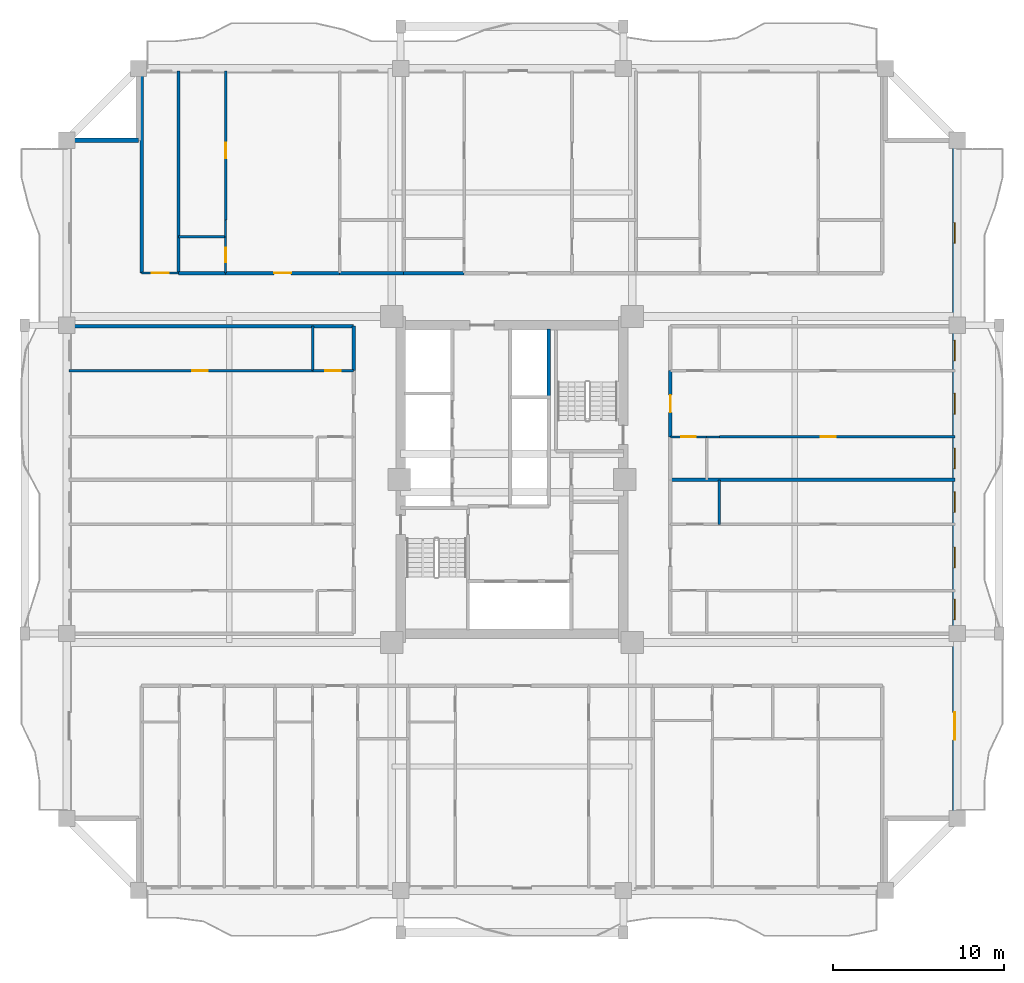
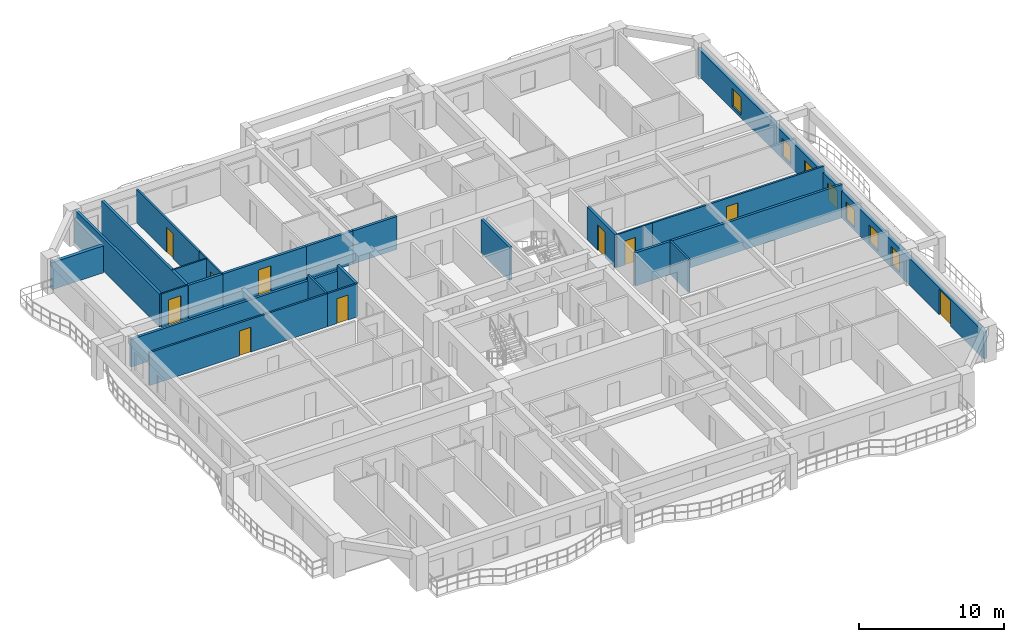
# One storey, part 6 of 13: 25 walls, 10 doors, 7 windows, 17 openings.
"""IFC4 building model written with IfcOpenShell, lengths in metres."""

from ifc_helpers import new_model, si_unit, direction, frame, frame_2d, origin, place, context, subcontext, project, spatial, rectangle, extrude, source, transform, mapped, material, layer, layer_set, type_object, element, fill, save


model = new_model("IFC4")

# Units and contexts
model_context = context("Model", 3, precision=1e-05, world=origin(), true_north=direction((0.0, 1.0)))
body_context = subcontext(model_context, "Body", "Model", "MODEL_VIEW")
ifc_project = project(units=[si_unit("LENGTHUNIT", "METRE"), si_unit("AREAUNIT", "SQUARE_METRE"), si_unit("VOLUMEUNIT", "CUBIC_METRE"), si_unit("PLANEANGLEUNIT", "RADIAN"), si_unit("MASSUNIT", "GRAM", prefix="KILO")], contexts=[model_context])

# Site, building, storey
site_placement = place(None, origin())
site = spatial("IfcSite", under=ifc_project, at=site_placement, CompositionType="ELEMENT")
building_placement = place(site_placement, origin())
building = spatial("IfcBuilding", under=site, at=building_placement, Name="Saelheon Loggia Tower", CompositionType="ELEMENT")
storey_placement = place(building_placement, frame((0.0, 0.0, 83.85009765625)))
storey = spatial("IfcBuildingStorey", under=building, at=storey_placement, Name="L26", CompositionType="ELEMENT", Elevation=83.85009765625)

# Wall, openings, windows, door
ifc_material_1 = material(Name="Architectural Precast Concrete C40/50", Category="concrete")
ifc_layer_1 = layer(ifc_material_1, 0.280029296875)
ifc_layer_set_1 = layer_set([ifc_layer_1], Name="Architectural Precast Concrete C40/50")
wall_type_1 = type_object("IfcWallType", Name="Wall_Ext_Loggia_280", PredefinedType="SOLIDWALL", material=ifc_layer_set_1)
wall_1_placement = place(storey_placement, frame((63.860107421875, 7.199951171875, 0.0), z_axis=(0.0, 0.0, 1.0), x_axis=(0.0, 1.0, 0.0)))
wall_1 = element("IfcWall", 1, at=wall_1_placement, inside=storey, type_object=wall_type_1, Name="L26 East Loggia Inner Wall", PredefinedType="SOLIDWALL", context=body_context, shape_type="SweptSolid", body=[
    extrude(rectangle(XDim=39.60009765625, YDim=0.280029296875, at=frame_2d((19.800048828125, 0.0))), origin(), (0.0, 0.0, 1.0), 2.27978515625),
])
opening_1_placement = place(wall_1_placement, frame((6.2001953125, 0.0, 0.0), z_axis=(0.0, 0.0, 1.0), x_axis=(-1.0, 0.0, 0.0)))
opening_1 = element("IfcOpeningElement", 2, at=opening_1_placement, cuts=wall_1, Name="Opening DLG-1", PredefinedType="OPENING", context=body_context, shape_type="SweptSolid", body=[
    extrude(rectangle(XDim=1.60009765625, YDim=2.14990234375, at=frame_2d((0.800048828125, 1.074951171875))), frame((0.0, 0.152099609375, 0.0), z_axis=(0.0, -1.0, 0.0), x_axis=(1.0, 0.0, 0.0)), (0.0, 0.0, 1.0), 0.303955078125),
])
opening_2_placement = place(wall_1_placement, frame((11.614013671875, 0.0, 0.25)))
opening_2 = element("IfcOpeningElement", 3, at=opening_2_placement, cuts=wall_1, Name="Opening WN-03", PredefinedType="OPENING", context=body_context, shape_type="SweptSolid", body=[
    extrude(rectangle(XDim=1.199951171875, YDim=1.5, at=frame_2d((0.60009765625, 0.75))), frame((0.0, 0.152099609375, 0.0), z_axis=(0.0, -1.0, 0.0), x_axis=(1.0, 0.0, 0.0)), (0.0, 0.0, 1.0), 0.303955078125),
])
opening_3_placement = place(wall_1_placement, frame((14.64404296875, 0.0, 0.25)))
opening_3 = element("IfcOpeningElement", 4, at=opening_3_placement, cuts=wall_1, Name="Opening WN-03", PredefinedType="OPENING", context=body_context, shape_type="SweptSolid", body=[
    extrude(rectangle(XDim=1.199951171875, YDim=1.5, at=frame_2d((0.60009765625, 0.75))), frame((0.0, 0.152099609375, 0.0), z_axis=(0.0, -1.0, 0.0), x_axis=(1.0, 0.0, 0.0)), (0.0, 0.0, 1.0), 0.303955078125),
])
opening_4_placement = place(wall_1_placement, frame((17.875, 0.0, 0.25)))
opening_4 = element("IfcOpeningElement", 5, at=opening_4_placement, cuts=wall_1, Name="Opening WN-03", PredefinedType="OPENING", context=body_context, shape_type="SweptSolid", body=[
    extrude(rectangle(XDim=1.199951171875, YDim=1.5, at=frame_2d((0.60009765625, 0.75))), frame((0.0, 0.152099609375, 0.0), z_axis=(0.0, -1.0, 0.0), x_axis=(1.0, 0.0, 0.0)), (0.0, 0.0, 1.0), 0.303955078125),
])
opening_5_placement = place(wall_1_placement, frame((20.431396484375, 0.0, 0.25)))
opening_5 = element("IfcOpeningElement", 6, at=opening_5_placement, cuts=wall_1, Name="Opening WN-03", PredefinedType="OPENING", context=body_context, shape_type="SweptSolid", body=[
    extrude(rectangle(XDim=1.199951171875, YDim=1.5, at=frame_2d((0.60009765625, 0.75))), frame((0.0, 0.152099609375, 0.0), z_axis=(0.0, -1.0, 0.0), x_axis=(1.0, 0.0, 0.0)), (0.0, 0.0, 1.0), 0.303955078125),
])
opening_6_placement = place(wall_1_placement, frame((23.618896484375, 0.0, 0.25)))
opening_6 = element("IfcOpeningElement", 7, at=opening_6_placement, cuts=wall_1, Name="Opening WN-03", PredefinedType="OPENING", context=body_context, shape_type="SweptSolid", body=[
    extrude(rectangle(XDim=1.199951171875, YDim=1.5, at=frame_2d((0.60009765625, 0.75))), frame((0.0, 0.152099609375, 0.0), z_axis=(0.0, -1.0, 0.0), x_axis=(1.0, 0.0, 0.0)), (0.0, 0.0, 1.0), 0.303955078125),
])
opening_7_placement = place(wall_1_placement, frame((26.717529296875, 0.0, 0.25)))
opening_7 = element("IfcOpeningElement", 8, at=opening_7_placement, cuts=wall_1, Name="Opening WN-03", PredefinedType="OPENING", context=body_context, shape_type="SweptSolid", body=[
    extrude(rectangle(XDim=1.199951171875, YDim=1.5, at=frame_2d((0.60009765625, 0.75))), frame((0.0, 0.152099609375, 0.0), z_axis=(0.0, -1.0, 0.0), x_axis=(1.0, 0.0, 0.0)), (0.0, 0.0, 1.0), 0.303955078125),
])
opening_8_placement = place(wall_1_placement, frame((33.60009765625, 0.0, 0.25)))
opening_8 = element("IfcOpeningElement", 9, at=opening_8_placement, cuts=wall_1, Name="Opening WN-03", PredefinedType="OPENING", context=body_context, shape_type="SweptSolid", body=[
    extrude(rectangle(XDim=1.199951171875, YDim=1.5, at=frame_2d((0.60009765625, 0.75))), frame((0.0, 0.152099609375, 0.0), z_axis=(0.0, -1.0, 0.0), x_axis=(1.0, 0.0, 0.0)), (0.0, 0.0, 1.0), 0.303955078125),
])
ifc_material_2 = material(Name="Thermal-Break Aluminium and Triple Low-E Glass", Category="aluminium")
window_type = type_object("IfcWindowType", Name="Win_Bedroom_1200x1500", PartitioningType="SINGLE_PANEL", PredefinedType="WINDOW", material=ifc_material_2)
shared_shape_1 = source(origin(), body_context, "Body", "SweptSolid", [
    extrude(rectangle(XDim=1.199951171875, YDim=1.5, at=frame_2d((0.60009765625, 0.75))), frame((0.0, 0.030029296875, 0.0), z_axis=(0.0, -1.0, 0.0), x_axis=(1.0, 0.0, 0.0)), (0.0, 0.0, 1.0), 0.06005859375),
])
window_1_placement = place(opening_2_placement, origin())
window_1 = element("IfcWindow", 10, at=window_1_placement, inside=storey, type_object=window_type, Name="L26 E Dwelling Window 2", OverallHeight=1.5, OverallWidth=1.199951171875, PartitioningType="SINGLE_PANEL", PredefinedType="WINDOW", context=body_context, shape_type="MappedRepresentation", body=[
    mapped(shared_shape_1, transform((0.0, 0.0, 0.0), scale=1.0)),
])
fill(opening_2, window_1)
window_2_placement = place(opening_3_placement, origin())
window_2 = element("IfcWindow", 11, at=window_2_placement, inside=storey, type_object=window_type, Name="L26 E Dwelling Window 3", OverallHeight=1.5, OverallWidth=1.199951171875, PartitioningType="SINGLE_PANEL", PredefinedType="WINDOW", context=body_context, shape_type="MappedRepresentation", body=[
    mapped(shared_shape_1, transform((0.0, 0.0, 0.0), scale=1.0)),
])
fill(opening_3, window_2)
window_3_placement = place(opening_4_placement, origin())
window_3 = element("IfcWindow", 12, at=window_3_placement, inside=storey, type_object=window_type, Name="L26 E Dwelling Window 4", OverallHeight=1.5, OverallWidth=1.199951171875, PartitioningType="SINGLE_PANEL", PredefinedType="WINDOW", context=body_context, shape_type="MappedRepresentation", body=[
    mapped(shared_shape_1, transform((0.0, 0.0, 0.0), scale=1.0)),
])
fill(opening_4, window_3)
window_4_placement = place(opening_5_placement, origin())
window_4 = element("IfcWindow", 13, at=window_4_placement, inside=storey, type_object=window_type, Name="L26 E Dwelling Window 5", OverallHeight=1.5, OverallWidth=1.199951171875, PartitioningType="SINGLE_PANEL", PredefinedType="WINDOW", context=body_context, shape_type="MappedRepresentation", body=[
    mapped(shared_shape_1, transform((0.0, 0.0, 0.0), scale=1.0)),
])
fill(opening_5, window_4)
window_5_placement = place(opening_6_placement, origin())
window_5 = element("IfcWindow", 14, at=window_5_placement, inside=storey, type_object=window_type, Name="L26 E Dwelling Window 6", OverallHeight=1.5, OverallWidth=1.199951171875, PartitioningType="SINGLE_PANEL", PredefinedType="WINDOW", context=body_context, shape_type="MappedRepresentation", body=[
    mapped(shared_shape_1, transform((0.0, 0.0, 0.0), scale=1.0)),
])
fill(opening_6, window_5)
window_6_placement = place(opening_7_placement, origin())
window_6 = element("IfcWindow", 15, at=window_6_placement, inside=storey, type_object=window_type, Name="L26 E Dwelling Window 7", OverallHeight=1.5, OverallWidth=1.199951171875, PartitioningType="SINGLE_PANEL", PredefinedType="WINDOW", context=body_context, shape_type="MappedRepresentation", body=[
    mapped(shared_shape_1, transform((0.0, 0.0, 0.0), scale=1.0)),
])
fill(opening_7, window_6)
window_7_placement = place(opening_8_placement, origin())
window_7 = element("IfcWindow", 16, at=window_7_placement, inside=storey, type_object=window_type, Name="L26 E Dwelling Window 8", OverallHeight=1.5, OverallWidth=1.199951171875, PartitioningType="SINGLE_PANEL", PredefinedType="WINDOW", context=body_context, shape_type="MappedRepresentation", body=[
    mapped(shared_shape_1, transform((0.0, 0.0, 0.0), scale=1.0)),
])
fill(opening_8, window_7)
ifc_material_3 = material(Name="Thermal-Break Aluminium Sliding Glazed Door", Category="aluminium")
door_type_1 = type_object("IfcDoorType", Name="Door_LoggiaSlide_1600", OperationType="SLIDING_TO_LEFT", PredefinedType="DOOR", material=ifc_material_3)
shared_shape_2 = source(origin(), body_context, "Body", "SweptSolid", [
    extrude(rectangle(XDim=1.60009765625, YDim=2.14990234375, at=frame_2d((0.800048828125, 1.074951171875))), frame((0.0, 0.02490234375, 0.0), z_axis=(0.0, -1.0, 0.0), x_axis=(1.0, 0.0, 0.0)), (0.0, 0.0, 1.0), 0.050048828125),
])
door_1_placement = place(opening_1_placement, origin())
door_1 = element("IfcDoor", 17, at=door_1_placement, inside=storey, type_object=door_type_1, Name="L26 E Loggia Access Door", OperationType="SLIDING_TO_LEFT", OverallHeight=2.14990234375, OverallWidth=1.60009765625, PredefinedType="DOOR", context=body_context, shape_type="MappedRepresentation", body=[
    mapped(shared_shape_2, transform((0.0, 0.0, 0.0), scale=1.0)),
])
fill(opening_1, door_1)

# Wall
wall_2_placement = place(storey_placement, frame((12.080078125, 46.800048828125, 0.0), z_axis=(0.0, 0.0, 1.0), x_axis=(1.0, 0.0, 0.0)))
element("IfcWall", 18, at=wall_2_placement, inside=storey, type_object=wall_type_1, Name="L26 Corner Notch Precast Wall NW2", PredefinedType="SOLIDWALL", context=body_context, shape_type="SweptSolid", body=[
    extrude(rectangle(XDim=4.119873046875, YDim=0.280029296875, at=frame_2d((2.06005859375, 0.0))), origin(), (0.0, 0.0, 1.0), 2.27978515625),
])

# Wall, opening, door
ifc_material_4 = material(Name="Lightweight Autoclaved Aerated Concrete Block and Acoustic Gypsum", Category="concrete")
ifc_layer_2 = layer(ifc_material_4, 0.14990234375)
ifc_layer_set_2 = layer_set([ifc_layer_2], Name="Lightweight Autoclaved Aerated Concrete Block and Acoustic Gypsum")
wall_type_2 = type_object("IfcWallType", Name="Wall_Part_150", PredefinedType="PARTITIONING", material=ifc_layer_set_2)
wall_3_placement = place(storey_placement, frame((21.280029296875, 42.14990234375, 0.0), z_axis=(0.0, 0.0, 1.0), x_axis=(0.0, 1.0, 0.0)))
wall_3 = element("IfcWall", 19, at=wall_3_placement, inside=storey, type_object=wall_type_2, Name="L26 N Partition U12", PredefinedType="PARTITIONING", context=body_context, shape_type="SweptSolid", body=[
    extrude(rectangle(XDim=8.7001953125, YDim=0.14990234375, at=frame_2d((4.35009765625, 0.0))), origin(), (0.0, 0.0, 1.0), 2.789794921875),
])
opening_9_placement = place(wall_3_placement, frame((3.594970703125, 0.0, 0.0)))
opening_9 = element("IfcOpeningElement", 20, at=opening_9_placement, cuts=wall_3, Name="Opening D-IN2", PredefinedType="OPENING", context=body_context, shape_type="SweptSolid", body=[
    extrude(rectangle(XDim=0.89990234375, YDim=2.10009765625, at=frame_2d((0.449951171875, 1.050048828125))), frame((0.0, 0.0869140625, 0.0), z_axis=(0.0, -1.0, 0.0), x_axis=(1.0, 0.0, 0.0)), (0.0, 0.0, 1.0), 0.173828125),
])
ifc_material_5 = material(Name="Engineered Oak Flush Door", Category="timber")
door_type_2 = type_object("IfcDoorType", Name="Door_Int_900", OperationType="NOTDEFINED", PredefinedType="DOOR", material=ifc_material_5)
shared_shape_3 = source(origin(), body_context, "Body", "SweptSolid", [
    extrude(rectangle(XDim=0.89990234375, YDim=2.10009765625, at=frame_2d((0.449951171875, 1.050048828125))), frame((0.0, 0.02490234375, 0.0), z_axis=(0.0, -1.0, 0.0), x_axis=(1.0, 0.0, 0.0)), (0.0, 0.0, 1.0), 0.050048828125),
])
door_2_placement = place(opening_9_placement, origin())
door_2 = element("IfcDoor", 21, at=door_2_placement, inside=storey, type_object=door_type_2, Name="Unit U05 Kitchen Door", OperationType="SINGLE_SWING_LEFT", OverallHeight=2.10009765625, OverallWidth=0.89990234375, PredefinedType="DOOR", context=body_context, shape_type="MappedRepresentation", body=[
    mapped(shared_shape_3, transform((0.0, 0.0, 0.0), scale=1.0)),
])
fill(opening_9, door_2)

# Wall
wall_4_placement = place(storey_placement, frame((26.3701171875, 33.35009765625, 0.0), z_axis=(0.0, 0.0, 1.0), x_axis=(0.0, 1.0, 0.0)))
element("IfcWall", 22, at=wall_4_placement, inside=storey, type_object=wall_type_2, Name="L26 W Partition V17", PredefinedType="PARTITIONING", context=body_context, shape_type="SweptSolid", body=[
    extrude(rectangle(XDim=2.599853515625, YDim=0.14990234375, at=frame_2d((1.2998046875, 0.0))), origin(), (0.0, 0.0, 1.0), 2.789794921875),
])

# Wall, opening, door
wall_5_placement = place(storey_placement, frame((28.75, 33.35009765625, 0.0), z_axis=(0.0, 0.0, 1.0), x_axis=(-1.0, 0.0, 0.0)))
wall_5 = element("IfcWall", 23, at=wall_5_placement, inside=storey, type_object=wall_type_2, Name="L26 W Partition U20", PredefinedType="PARTITIONING", context=body_context, shape_type="SweptSolid", body=[
    extrude(rectangle(XDim=2.3798828125, YDim=0.14990234375, at=frame_2d((1.18994140625, 0.0))), origin(), (0.0, 0.0, 1.0), 2.789794921875),
])
opening_10_placement = place(wall_5_placement, frame((0.739990234375, 0.0, 0.0)))
opening_10 = element("IfcOpeningElement", 24, at=opening_10_placement, cuts=wall_5, Name="Opening D-IN2", PredefinedType="OPENING", context=body_context, shape_type="SweptSolid", body=[
    extrude(rectangle(XDim=0.89990234375, YDim=2.10009765625, at=frame_2d((0.449951171875, 1.050048828125))), frame((0.0, 0.0869140625, 0.0), z_axis=(0.0, -1.0, 0.0), x_axis=(1.0, 0.0, 0.0)), (0.0, 0.0, 1.0), 0.173828125),
])
door_3_placement = place(opening_10_placement, origin())
door_3 = element("IfcDoor", 25, at=door_3_placement, inside=storey, type_object=door_type_2, Name="Unit U09 Dressing Closet Door", OperationType="SINGLE_SWING_RIGHT", OverallHeight=2.10009765625, OverallWidth=0.89990234375, PredefinedType="DOOR", context=body_context, shape_type="MappedRepresentation", body=[
    mapped(shared_shape_3, transform((0.0, 0.0, 0.0), scale=1.0)),
])
fill(opening_10, door_3)

wall_6_placement = place(storey_placement, frame((26.3701171875, 33.35009765625, 0.0), z_axis=(0.0, 0.0, 1.0), x_axis=(-1.0, 0.0, 0.0)))
wall_6 = element("IfcWall", 26, at=wall_6_placement, inside=storey, type_object=wall_type_2, Name="L26 W Partition U21", PredefinedType="PARTITIONING", context=body_context, shape_type="SweptSolid", body=[
    extrude(rectangle(XDim=14.22021484375, YDim=0.14990234375, at=frame_2d((7.110107421875, 0.0))), origin(), (0.0, 0.0, 1.0), 2.789794921875),
])
opening_11_placement = place(wall_6_placement, frame((6.125, 0.0, 0.0)))
opening_11 = element("IfcOpeningElement", 27, at=opening_11_placement, cuts=wall_6, Name="Opening D-IN2", PredefinedType="OPENING", context=body_context, shape_type="SweptSolid", body=[
    extrude(rectangle(XDim=0.89990234375, YDim=2.10009765625, at=frame_2d((0.449951171875, 1.050048828125))), frame((0.0, 0.0869140625, 0.0), z_axis=(0.0, -1.0, 0.0), x_axis=(1.0, 0.0, 0.0)), (0.0, 0.0, 1.0), 0.173828125),
])
door_4_placement = place(opening_11_placement, origin())
door_4 = element("IfcDoor", 28, at=door_4_placement, inside=storey, type_object=door_type_2, Name="Unit U09 Bedroom 1 Door", OperationType="SINGLE_SWING_LEFT", OverallHeight=2.10009765625, OverallWidth=0.89990234375, PredefinedType="DOOR", context=body_context, shape_type="MappedRepresentation", body=[
    mapped(shared_shape_3, transform((0.0, 0.0, 0.0), scale=1.0)),
])
fill(opening_11, door_4)

# Wall
wall_7_placement = place(storey_placement, frame((50.110107421875, 24.375, 0.0), z_axis=(0.0, 0.0, 1.0), x_axis=(0.0, 1.0, 0.0)))
element("IfcWall", 29, at=wall_7_placement, inside=storey, type_object=wall_type_2, Name="L26 E Partition V07", PredefinedType="PARTITIONING", context=body_context, shape_type="SweptSolid", body=[
    extrude(rectangle(XDim=2.60009765625, YDim=0.14990234375, at=frame_2d((1.300048828125, 0.0))), origin(), (0.0, 0.0, 1.0), 2.789794921875),
])

# Wall, opening, door
wall_8_placement = place(storey_placement, frame((50.110107421875, 29.488037109375, 0.0), z_axis=(0.0, 0.0, 1.0), x_axis=(1.0, 0.0, 0.0)))
wall_8 = element("IfcWall", 30, at=wall_8_placement, inside=storey, type_object=wall_type_2, Name="L26 E Partition U21", PredefinedType="PARTITIONING", context=body_context, shape_type="SweptSolid", body=[
    extrude(rectangle(XDim=13.739990234375, YDim=0.14990234375, at=frame_2d((6.8701171875, 0.0))), origin(), (0.0, 0.0, 1.0), 2.789794921875),
])
opening_12_placement = place(wall_8_placement, frame((5.905029296875, 0.0, 0.0)))
opening_12 = element("IfcOpeningElement", 31, at=opening_12_placement, cuts=wall_8, Name="Opening D-IN2", PredefinedType="OPENING", context=body_context, shape_type="SweptSolid", body=[
    extrude(rectangle(XDim=0.89990234375, YDim=2.10009765625, at=frame_2d((0.449951171875, 1.050048828125))), frame((0.0, 0.0869140625, 0.0), z_axis=(0.0, -1.0, 0.0), x_axis=(1.0, 0.0, 0.0)), (0.0, 0.0, 1.0), 0.173828125),
])
door_5_placement = place(opening_12_placement, origin())
door_5 = element("IfcDoor", 32, at=door_5_placement, inside=storey, type_object=door_type_2, Name="Unit U11 Kitchen Door", OperationType="SINGLE_SWING_LEFT", OverallHeight=2.10009765625, OverallWidth=0.89990234375, PredefinedType="DOOR", context=body_context, shape_type="MappedRepresentation", body=[
    mapped(shared_shape_3, transform((0.0, 0.0, 0.0), scale=1.0)),
])
fill(opening_12, door_5)

# Walls
ifc_material_6 = material(Name="Double Acoustic Stud and Fireboard Partition", Category="gypsum")
ifc_layer_3 = layer(ifc_material_6, 0.199951171875)
ifc_layer_set_3 = layer_set([ifc_layer_3], Name="Double Acoustic Stud and Fireboard Partition")
wall_type_3 = type_object("IfcWallType", Name="Wall_Party_200", PredefinedType="PARTITIONING", material=ifc_layer_set_3)
for number, where, z_axis, x_axis, name in (
    (33, (16.3798828125, 39.050048828125, 0.0), (0.0, 0.0, 1.0), (0.0, 1.0, 0.0), "L26 N Partition U01"),
    (34, (18.530029296875, 39.050048828125, 0.0), (0.0, 0.0, 1.0), (0.0, 1.0, 0.0), "L26 N Partition U03"),
):
    element("IfcWall", number, at=place(storey_placement, frame(where, z_axis=z_axis, x_axis=x_axis)), inside=storey, type_object=wall_type_3, Name=name, PredefinedType="PARTITIONING", context=body_context, shape_type="SweptSolid", body=[
        extrude(rectangle(XDim=11.800048828125, YDim=0.199951171875, at=frame_2d((5.89990234375, 0.0))), origin(), (0.0, 0.0, 1.0), 2.789794921875),
    ])
wall_9_placement = place(storey_placement, frame((18.530029296875, 39.050048828125, 0.0), z_axis=(0.0, 0.0, 1.0), x_axis=(1.0, 0.0, 0.0)))
element("IfcWall", 35, at=wall_9_placement, inside=storey, type_object=wall_type_3, Name="L26 N Partition V05", PredefinedType="PARTITIONING", context=body_context, shape_type="SweptSolid", body=[
    extrude(rectangle(XDim=2.75, YDim=0.199951171875, at=frame_2d((1.375, 0.0))), origin(), (0.0, 0.0, 1.0), 2.789794921875),
])

# Wall, opening, door
wall_10_placement = place(storey_placement, frame((21.280029296875, 39.050048828125, 0.0), z_axis=(0.0, 0.0, 1.0), x_axis=(1.0, 0.0, 0.0)))
wall_10 = element("IfcWall", 36, at=wall_10_placement, inside=storey, type_object=wall_type_3, Name="L26 N Partition V06", PredefinedType="PARTITIONING", context=body_context, shape_type="SweptSolid", body=[
    extrude(rectangle(XDim=6.6630859375, YDim=0.199951171875, at=frame_2d((3.33154296875, 0.0))), origin(), (0.0, 0.0, 1.0), 2.789794921875),
])
opening_13_placement = place(wall_10_placement, frame((2.83154296875, 0.0, 0.0)))
opening_13 = element("IfcOpeningElement", 37, at=opening_13_placement, cuts=wall_10, Name="Opening D-FD1", PredefinedType="OPENING", context=body_context, shape_type="SweptSolid", body=[
    extrude(rectangle(XDim=1.0, YDim=2.14990234375, at=frame_2d((0.5, 1.074951171875))), frame((0.0, 0.112060546875, 0.0), z_axis=(0.0, -1.0, 0.0), x_axis=(1.0, 0.0, 0.0)), (0.0, 0.0, 1.0), 0.223876953125),
])
ifc_material_7 = material(Name="Fire-Rated Engineered Timber Entrance Door", Category="wood")
door_type_3 = type_object("IfcDoorType", Name="Door_Flat_FD30S", OperationType="NOTDEFINED", PredefinedType="DOOR", material=ifc_material_7)
shared_shape_4 = source(origin(), body_context, "Body", "SweptSolid", [
    extrude(rectangle(XDim=1.0, YDim=2.14990234375, at=frame_2d((0.5, 1.074951171875))), frame((0.0, 0.02490234375, 0.0), z_axis=(0.0, -1.0, 0.0), x_axis=(1.0, 0.0, 0.0)), (0.0, 0.0, 1.0), 0.050048828125),
])
door_6_placement = place(opening_13_placement, origin())
door_6 = element("IfcDoor", 38, at=door_6_placement, inside=storey, type_object=door_type_3, Name="Unit U05 Entrance Door", OperationType="SINGLE_SWING_LEFT", OverallHeight=2.14990234375, OverallWidth=1.0, PredefinedType="DOOR", context=body_context, shape_type="MappedRepresentation", body=[
    mapped(shared_shape_4, transform((0.0, 0.0, 0.0), scale=1.0)),
])
fill(opening_13, door_6)

# Walls
wall_11_placement = place(storey_placement, frame((27.943115234375, 39.050048828125, 0.0), z_axis=(0.0, 0.0, 1.0), x_axis=(1.0, 0.0, 0.0)))
element("IfcWall", 39, at=wall_11_placement, inside=storey, type_object=wall_type_3, Name="L26 N Partition V07", PredefinedType="PARTITIONING", context=body_context, shape_type="SweptSolid", body=[
    extrude(rectangle(XDim=3.735595703125, YDim=0.199951171875, at=frame_2d((1.86767578125, 0.0))), origin(), (0.0, 0.0, 1.0), 2.789794921875),
])
wall_12_placement = place(storey_placement, frame((31.6787109375, 39.050048828125, 0.0), z_axis=(0.0, 0.0, 1.0), x_axis=(1.0, 0.0, 0.0)))
element("IfcWall", 40, at=wall_12_placement, inside=storey, type_object=wall_type_3, Name="L26 N Partition V16", PredefinedType="PARTITIONING", context=body_context, shape_type="SweptSolid", body=[
    extrude(rectangle(XDim=3.525634765625, YDim=0.199951171875, at=frame_2d((1.7626953125, 0.0))), origin(), (0.0, 0.0, 1.0), 2.789794921875),
])
wall_13_placement = place(storey_placement, frame((28.75, 35.949951171875, 0.0), z_axis=(0.0, 0.0, 1.0), x_axis=(-1.0, 0.0, 0.0)))
element("IfcWall", 41, at=wall_13_placement, inside=storey, type_object=wall_type_3, Name="L26 W Partition U02", PredefinedType="PARTITIONING", context=body_context, shape_type="SweptSolid", body=[
    extrude(rectangle(XDim=16.60009765625, YDim=0.199951171875, at=frame_2d((8.300048828125, 0.0))), origin(), (0.0, 0.0, 1.0), 2.33984375),
])
wall_14_placement = place(storey_placement, frame((28.75, 33.35009765625, 0.0), z_axis=(0.0, 0.0, 1.0), x_axis=(0.0, 1.0, 0.0)))
element("IfcWall", 42, at=wall_14_placement, inside=storey, type_object=wall_type_3, Name="L26 W Partition V15", PredefinedType="PARTITIONING", context=body_context, shape_type="SweptSolid", body=[
    extrude(rectangle(XDim=2.599853515625, YDim=0.199951171875, at=frame_2d((1.2998046875, 0.0))), origin(), (0.0, 0.0, 1.0), 2.789794921875),
])
wall_15_placement = place(storey_placement, frame((47.25, 26.97509765625, 0.0), z_axis=(0.0, 0.0, 1.0), x_axis=(1.0, 0.0, 0.0)))
element("IfcWall", 43, at=wall_15_placement, inside=storey, type_object=wall_type_3, Name="L26 E Partition U13", PredefinedType="PARTITIONING", context=body_context, shape_type="SweptSolid", body=[
    extrude(rectangle(XDim=16.60009765625, YDim=0.199951171875, at=frame_2d((8.300048828125, 0.0))), origin(), (0.0, 0.0, 1.0), 2.789794921875),
])

# Wall, opening, door
wall_16_placement = place(storey_placement, frame((47.25, 29.488037109375, 0.0), z_axis=(0.0, 0.0, 1.0), x_axis=(0.0, 1.0, 0.0)))
wall_16 = element("IfcWall", 44, at=wall_16_placement, inside=storey, type_object=wall_type_3, Name="L26 E Partition V15", PredefinedType="PARTITIONING", context=body_context, shape_type="SweptSolid", body=[
    extrude(rectangle(XDim=3.862060546875, YDim=0.199951171875, at=frame_2d((1.93115234375, 0.0))), origin(), (0.0, 0.0, 1.0), 2.789794921875),
])
opening_14_placement = place(wall_16_placement, frame((1.430908203125, 0.0, 0.0)))
opening_14 = element("IfcOpeningElement", 45, at=opening_14_placement, cuts=wall_16, Name="Opening D-FD1", PredefinedType="OPENING", context=body_context, shape_type="SweptSolid", body=[
    extrude(rectangle(XDim=1.0, YDim=2.14990234375, at=frame_2d((0.5, 1.074951171875))), frame((0.0, 0.112060546875, 0.0), z_axis=(0.0, -1.0, 0.0), x_axis=(1.0, 0.0, 0.0)), (0.0, 0.0, 1.0), 0.223876953125),
])
door_7_placement = place(opening_14_placement, origin())
door_7 = element("IfcDoor", 46, at=door_7_placement, inside=storey, type_object=door_type_3, Name="Unit U11 Entrance Door", OperationType="SINGLE_SWING_LEFT", OverallHeight=2.14990234375, OverallWidth=1.0, PredefinedType="DOOR", context=body_context, shape_type="MappedRepresentation", body=[
    mapped(shared_shape_4, transform((0.0, 0.0, 0.0), scale=1.0)),
])
fill(opening_14, door_7)

# Wall
ifc_material_8 = material(Name="Concrete C40/50", Category="concrete")
ifc_layer_4 = layer(ifc_material_8, 0.199951171875)
ifc_layer_set_4 = layer_set([ifc_layer_4], Name="Concrete C40/50")
wall_type_4 = type_object("IfcWallType", Name="Wall_Shaft_200", PredefinedType="PARTITIONING", material=ifc_layer_set_4)
wall_17_placement = place(storey_placement, frame((40.14990234375, 31.800048828125, 0.0), z_axis=(0.0, 0.0, 1.0), x_axis=(0.0, 1.0, 0.0)))
element("IfcWall", 47, at=wall_17_placement, inside=storey, type_object=wall_type_4, Name="L26 East High-Rise Hoistway East Wall", PredefinedType="PARTITIONING", context=body_context, shape_type="SweptSolid", body=[
    extrude(rectangle(XDim=3.97998046875, YDim=0.199951171875, at=frame_2d((1.989990234375, 0.0))), origin(), (0.0, 0.0, 1.0), 2.789794921875),
])

# Wall, opening, door
ifc_material_9 = material(Name="Moisture-Resistant Cement Board Partition", Category="gypsum")
ifc_layer_5 = layer(ifc_material_9, 0.1201171875)
ifc_layer_set_5 = layer_set([ifc_layer_5], Name="Moisture-Resistant Cement Board Partition")
wall_type_5 = type_object("IfcWallType", Name="Wall_WetPart_120", PredefinedType="PARTITIONING", material=ifc_layer_set_5)
wall_18_placement = place(storey_placement, frame((16.3798828125, 39.050048828125, 0.0), z_axis=(0.0, 0.0, 1.0), x_axis=(1.0, 0.0, 0.0)))
wall_18 = element("IfcWall", 48, at=wall_18_placement, inside=storey, type_object=wall_type_5, Name="L26 N Partition V04", PredefinedType="PARTITIONING", context=body_context, shape_type="SweptSolid", body=[
    extrude(rectangle(XDim=2.150146484375, YDim=0.1201171875, at=frame_2d((1.0751953125, 0.0))), origin(), (0.0, 0.0, 1.0), 2.789794921875),
])
opening_15_placement = place(wall_18_placement, frame((0.574951171875, 0.0, 0.0)))
opening_15 = element("IfcOpeningElement", 49, at=opening_15_placement, cuts=wall_18, Name="Opening D-AC1", PredefinedType="OPENING", context=body_context, shape_type="SweptSolid", body=[
    extrude(rectangle(XDim=1.0, YDim=2.10009765625, at=frame_2d((0.5, 1.050048828125))), frame((0.0, 0.072021484375, 0.0), z_axis=(0.0, -1.0, 0.0), x_axis=(1.0, 0.0, 0.0)), (0.0, 0.0, 1.0), 0.14404296875),
])
ifc_material_10 = material(Name="Accessible Laminate Flush Door", Category="timber")
door_type_4 = type_object("IfcDoorType", Name="Door_Acc_1000", OperationType="NOTDEFINED", PredefinedType="DOOR", material=ifc_material_10)
shared_shape_5 = source(origin(), body_context, "Body", "SweptSolid", [
    extrude(rectangle(XDim=1.0, YDim=2.10009765625, at=frame_2d((0.5, 1.050048828125))), frame((0.0, 0.02490234375, 0.0), z_axis=(0.0, -1.0, 0.0), x_axis=(1.0, 0.0, 0.0)), (0.0, 0.0, 1.0), 0.050048828125),
])
door_8_placement = place(opening_15_placement, origin())
door_8 = element("IfcDoor", 50, at=door_8_placement, inside=storey, type_object=door_type_4, Name="L26 Floor Accessible WC Door", OperationType="SINGLE_SWING_RIGHT", OverallHeight=2.10009765625, OverallWidth=1.0, PredefinedType="DOOR", context=body_context, shape_type="MappedRepresentation", body=[
    mapped(shared_shape_5, transform((0.0, 0.0, 0.0), scale=1.0)),
])
fill(opening_15, door_8)

# Wall
wall_19_placement = place(storey_placement, frame((18.530029296875, 41.169921875, 0.0), z_axis=(0.0, 0.0, 1.0), x_axis=(1.0, 0.0, 0.0)))
element("IfcWall", 51, at=wall_19_placement, inside=storey, type_object=wall_type_5, Name="L26 N Partition V08", PredefinedType="PARTITIONING", context=body_context, shape_type="SweptSolid", body=[
    extrude(rectangle(XDim=2.75, YDim=0.1201171875, at=frame_2d((1.375, 0.0))), origin(), (0.0, 0.0, 1.0), 2.789794921875),
])

# Wall, opening, door
wall_20_placement = place(storey_placement, frame((21.280029296875, 39.050048828125, 0.0), z_axis=(0.0, 0.0, 1.0), x_axis=(0.0, 1.0, 0.0)))
wall_20 = element("IfcWall", 52, at=wall_20_placement, inside=storey, type_object=wall_type_5, Name="L26 N Partition U10", PredefinedType="PARTITIONING", context=body_context, shape_type="SweptSolid", body=[
    extrude(rectangle(XDim=2.119873046875, YDim=0.1201171875, at=frame_2d((1.06005859375, 0.0))), origin(), (0.0, 0.0, 1.0), 2.789794921875),
])
opening_16_placement = place(wall_20_placement, frame((0.635009765625, 0.0, 0.0)))
opening_16 = element("IfcOpeningElement", 53, at=opening_16_placement, cuts=wall_20, Name="Opening D-BT1", PredefinedType="OPENING", context=body_context, shape_type="SweptSolid", body=[
    extrude(rectangle(XDim=0.85009765625, YDim=2.050048828125, at=frame_2d((0.425048828125, 1.02490234375))), frame((0.0, 0.072021484375, 0.0), z_axis=(0.0, -1.0, 0.0), x_axis=(1.0, 0.0, 0.0)), (0.0, 0.0, 1.0), 0.14404296875),
])
ifc_material_11 = material(Name="Moisture-Resistant Laminate Timber Door", Category="wood")
door_type_5 = type_object("IfcDoorType", Name="Door_Bath_850", OperationType="NOTDEFINED", PredefinedType="DOOR", material=ifc_material_11)
shared_shape_6 = source(origin(), body_context, "Body", "SweptSolid", [
    extrude(rectangle(XDim=0.85009765625, YDim=2.050048828125, at=frame_2d((0.425048828125, 1.02490234375))), frame((0.0, 0.02490234375, 0.0), z_axis=(0.0, -1.0, 0.0), x_axis=(1.0, 0.0, 0.0)), (0.0, 0.0, 1.0), 0.050048828125),
])
door_9_placement = place(opening_16_placement, origin())
door_9 = element("IfcDoor", 54, at=door_9_placement, inside=storey, type_object=door_type_5, Name="Unit U05 Bathroom Door", OperationType="SINGLE_SWING_RIGHT", OverallHeight=2.050048828125, OverallWidth=0.85009765625, PredefinedType="DOOR", context=body_context, shape_type="MappedRepresentation", body=[
    mapped(shared_shape_6, transform((0.0, 0.0, 0.0), scale=1.0)),
])
fill(opening_16, door_9)

# Wall
wall_21_placement = place(storey_placement, frame((21.280029296875, 41.169921875, 0.0), z_axis=(0.0, 0.0, 1.0), x_axis=(0.0, 1.0, 0.0)))
element("IfcWall", 55, at=wall_21_placement, inside=storey, type_object=wall_type_5, Name="L26 N Partition U11", PredefinedType="PARTITIONING", context=body_context, shape_type="SweptSolid", body=[
    extrude(rectangle(XDim=0.97998046875, YDim=0.1201171875, at=frame_2d((0.489990234375, 0.0))), origin(), (0.0, 0.0, 1.0), 2.789794921875),
])

# Wall, opening, door
wall_22_placement = place(storey_placement, frame((47.25, 29.488037109375, 0.0), z_axis=(0.0, 0.0, 1.0), x_axis=(1.0, 0.0, 0.0)))
wall_22 = element("IfcWall", 56, at=wall_22_placement, inside=storey, type_object=wall_type_5, Name="L26 E Partition U19", PredefinedType="PARTITIONING", context=body_context, shape_type="SweptSolid", body=[
    extrude(rectangle(XDim=2.1201171875, YDim=0.1201171875, at=frame_2d((1.06005859375, 0.0))), origin(), (0.0, 0.0, 1.0), 2.789794921875),
])
opening_17_placement = place(wall_22_placement, frame((0.635009765625, 0.0, 0.0)))
opening_17 = element("IfcOpeningElement", 57, at=opening_17_placement, cuts=wall_22, Name="Opening D-BT1", PredefinedType="OPENING", context=body_context, shape_type="SweptSolid", body=[
    extrude(rectangle(XDim=0.85009765625, YDim=2.050048828125, at=frame_2d((0.425048828125, 1.02490234375))), frame((0.0, 0.072021484375, 0.0), z_axis=(0.0, -1.0, 0.0), x_axis=(1.0, 0.0, 0.0)), (0.0, 0.0, 1.0), 0.14404296875),
])
door_10_placement = place(opening_17_placement, origin())
door_10 = element("IfcDoor", 58, at=door_10_placement, inside=storey, type_object=door_type_5, Name="Unit U11 Bathroom Door", OperationType="SINGLE_SWING_RIGHT", OverallHeight=2.050048828125, OverallWidth=0.85009765625, PredefinedType="DOOR", context=body_context, shape_type="MappedRepresentation", body=[
    mapped(shared_shape_6, transform((0.0, 0.0, 0.0), scale=1.0)),
])
fill(opening_17, door_10)

# Wall
wall_23_placement = place(storey_placement, frame((49.3701171875, 29.488037109375, 0.0), z_axis=(0.0, 0.0, 1.0), x_axis=(1.0, 0.0, 0.0)))
element("IfcWall", 59, at=wall_23_placement, inside=storey, type_object=wall_type_5, Name="L26 E Partition U20", PredefinedType="PARTITIONING", context=body_context, shape_type="SweptSolid", body=[
    extrude(rectangle(XDim=0.739990234375, YDim=0.1201171875, at=frame_2d((0.3701171875, 0.0))), origin(), (0.0, 0.0, 1.0), 2.789794921875),
])

save(model, "model.ifc")
